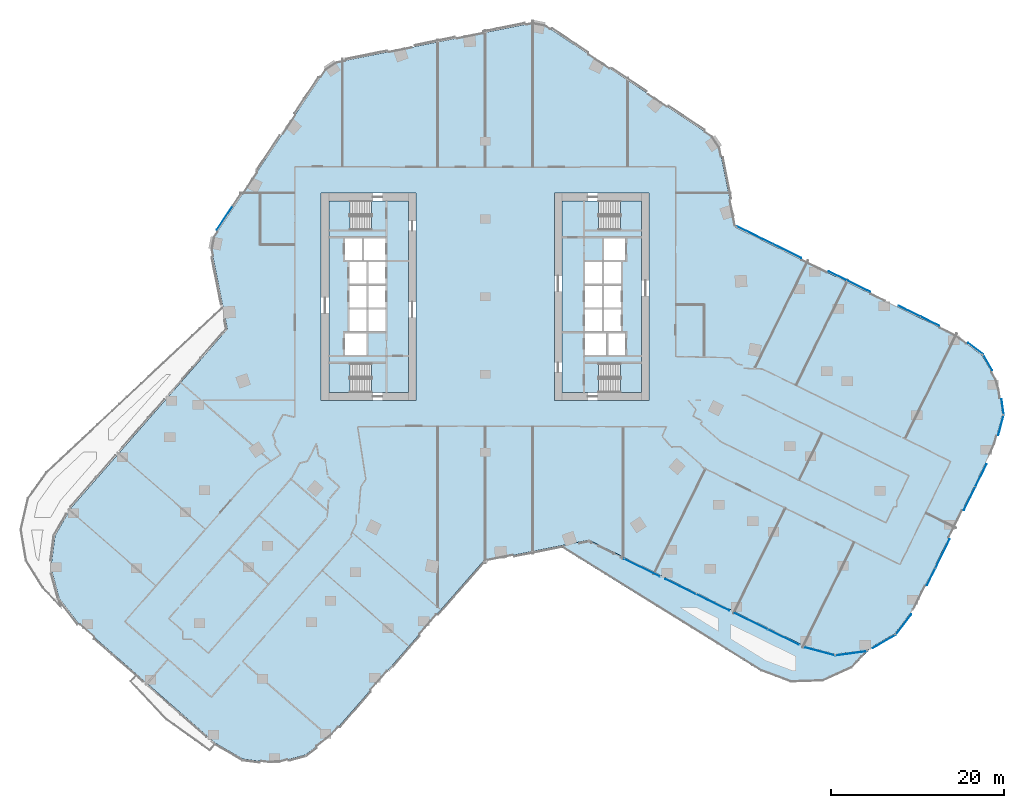
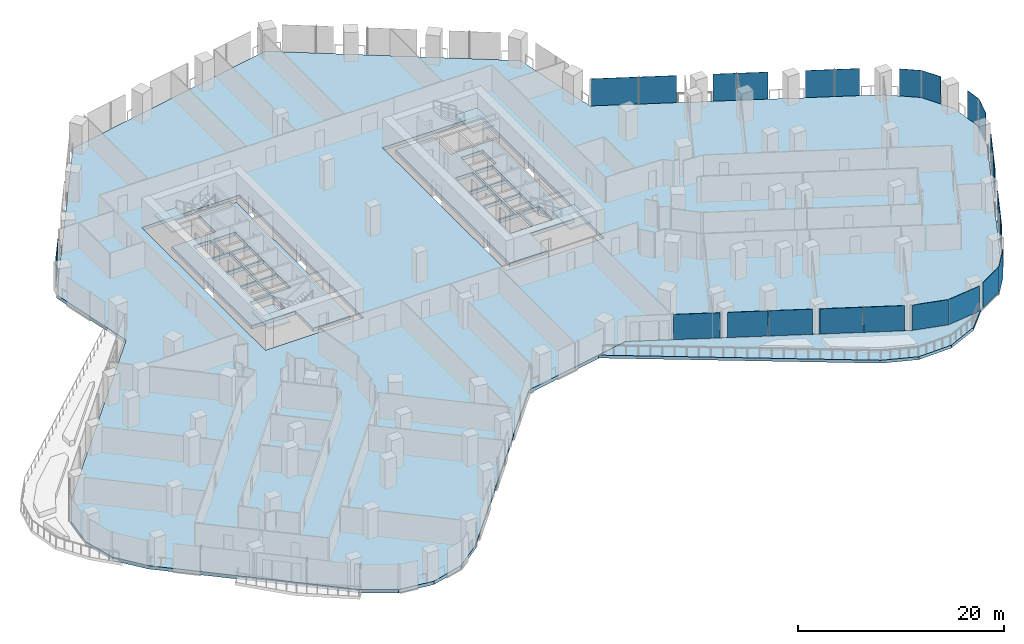
# One storey, part 19 of 32: 24 plates, 8 slabs, 16 elements without a shape of their own.
"""IFC4 building model written with IfcOpenShell, lengths in metres."""

from ifc_helpers import new_model, si_unit, direction, frame, origin, origin_2d, place, context, subcontext, project, spatial, polyline, rectangle, outline, extrude, material, layer, layer_set, type_object, element, aggregate, save


model = new_model("IFC4")

# Units and contexts
model_context = context("Model", 3, precision=1e-05, world=origin(), true_north=direction((0.0, 1.0)))
body_context = subcontext(model_context, "Body", "Model", "MODEL_VIEW")
ifc_project = project(units=[si_unit("LENGTHUNIT", "METRE"), si_unit("AREAUNIT", "SQUARE_METRE"), si_unit("VOLUMEUNIT", "CUBIC_METRE"), si_unit("PLANEANGLEUNIT", "RADIAN"), si_unit("MASSUNIT", "GRAM", prefix="KILO")], contexts=[model_context])

# Site, building, storey
site_placement = place(None, origin())
site = spatial("IfcSite", under=ifc_project, at=site_placement, CompositionType="ELEMENT")
building_placement = place(site_placement, origin())
building = spatial("IfcBuilding", under=site, at=building_placement, Name="Orlundy Tower", CompositionType="ELEMENT")
storey_placement = place(building_placement, frame((0.0, 0.0, 58.800048828125)))
storey = spatial("IfcBuildingStorey", under=building, at=storey_placement, Name="L13", CompositionType="ELEMENT", Elevation=58.800048828125)

# Curtain wall, plates
ifc_material_1 = material(Name="Aluminium bronze anodised", Category="aluminium")
curtain_wall_type = type_object("IfcCurtainWallType", Name="CW1 wall", PredefinedType="NOTDEFINED", material=ifc_material_1)
curtain_wall_1_placement = place(storey_placement, origin())
curtain_wall_1 = element("IfcCurtainWall", 1, at=curtain_wall_1_placement, inside=storey, type_object=curtain_wall_type, Name="CW1 run 00", PredefinedType="NOTDEFINED")
ifc_material_2 = material(Name="Tinted glass", Category="glass")
ifc_layer_1 = layer(ifc_material_2, 0.031982421875)
ifc_layer_set_1 = layer_set([ifc_layer_1], Name="CW1 glass panel 32")
plate_type = type_object("IfcPlateType", Name="CW1 glass panel 32", PredefinedType="CURTAIN_PANEL", material=ifc_layer_set_1)
plate_1_placement = place(storey_placement, frame((34.528076171875, -39.4306640625, 0.119873046875), z_axis=(0.0, 0.0, 1.0), x_axis=(-0.897522339484, 0.440968989984, 0.0)))
plate_1 = element("IfcPlate", 2, at=plate_1_placement, type_object=plate_type, Name="CW1 panel", PredefinedType="CURTAIN_PANEL", context=body_context, shape_type="SweptSolid", body=[
    extrude(rectangle(XDim=3.966552734375, YDim=0.031982421875, at=origin_2d()), origin(), (0.0, 0.0, 1.0), 2.97998046875),
])
plate_2_placement = place(storey_placement, frame((30.803955078125, -37.60107421875, 0.119873046875), z_axis=(0.0, 0.0, 1.0), x_axis=(-0.897522339484, 0.440968989984, 0.0)))
plate_2 = element("IfcPlate", 3, at=plate_2_placement, type_object=plate_type, Name="CW1 panel", PredefinedType="CURTAIN_PANEL", context=body_context, shape_type="SweptSolid", body=[
    extrude(rectangle(XDim=4.23193359375, YDim=0.031982421875, at=origin_2d()), origin(), (0.0, 0.0, 1.0), 2.97998046875),
])
plate_3_placement = place(storey_placement, frame((26.348388671875, -35.411865234375, 0.119873046875), z_axis=(0.0, 0.0, 1.0), x_axis=(-0.897522339484, 0.440968989984, 0.0)))
plate_3 = element("IfcPlate", 4, at=plate_3_placement, type_object=plate_type, Name="CW1 panel", PredefinedType="CURTAIN_PANEL", context=body_context, shape_type="SweptSolid", body=[
    extrude(rectangle(XDim=4.26220703125, YDim=0.031982421875, at=origin_2d()), origin(), (0.0, 0.0, 1.0), 2.97998046875),
])
plate_4_placement = place(storey_placement, frame((22.623779296875, -33.58203125, 0.119873046875), z_axis=(0.0, 0.0, 1.0), x_axis=(-0.897522339484, 0.440968989984, 0.0)))
plate_4 = element("IfcPlate", 5, at=plate_4_placement, type_object=plate_type, Name="CW1 panel", PredefinedType="CURTAIN_PANEL", context=body_context, shape_type="SweptSolid", body=[
    extrude(rectangle(XDim=3.937255859375, YDim=0.031982421875, at=origin_2d()), origin(), (0.0, 0.0, 1.0), 2.97998046875),
])
plate_5_placement = place(storey_placement, frame((18.168212890625, -31.392822265625, 0.119873046875), z_axis=(0.0, 0.0, 1.0), x_axis=(-0.897522339484, 0.440968989984, 0.0)))
plate_5 = element("IfcPlate", 6, at=plate_5_placement, type_object=plate_type, Name="CW1 panel", PredefinedType="CURTAIN_PANEL", context=body_context, shape_type="SweptSolid", body=[
    extrude(rectangle(XDim=4.556640625, YDim=0.031982421875, at=origin_2d()), origin(), (0.0, 0.0, 1.0), 2.97998046875),
])
aggregate(curtain_wall_1, [plate_1, plate_2, plate_3, plate_4, plate_5])

# Curtain wall, plate
curtain_wall_2_placement = place(storey_placement, origin())
curtain_wall_2 = element("IfcCurtainWall", 7, at=curtain_wall_2_placement, inside=storey, type_object=curtain_wall_type, Name="CW1 run 014", PredefinedType="NOTDEFINED")
plate_6_placement = place(storey_placement, frame((-30.16357421875, 9.127197265625, -0.280029296875), z_axis=(0.0, 0.0, 1.0), x_axis=(0.554356579774, 0.832279269513, 0.0)))
plate_6 = element("IfcPlate", 8, at=plate_6_placement, type_object=plate_type, Name="CW1 panel", PredefinedType="CURTAIN_PANEL", context=body_context, shape_type="SweptSolid", body=[
    extrude(rectangle(XDim=3.288818359375, YDim=0.031982421875, at=origin_2d()), origin(), (0.0, 0.0, 1.0), 3.3798828125),
])
aggregate(curtain_wall_2, [plate_6])

# Curtain wall, plates
curtain_wall_3_placement = place(storey_placement, origin())
curtain_wall_3 = element("IfcCurtainWall", 9, at=curtain_wall_3_placement, inside=storey, type_object=curtain_wall_type, Name="CW1 run 018", PredefinedType="NOTDEFINED")
plate_7_placement = place(storey_placement, frame((31.21630859375, 7.12841796875, -0.280029296875), z_axis=(0.0, 0.0, 1.0), x_axis=(0.897517823728, -0.440978180969, 0.0)))
plate_7 = element("IfcPlate", 10, at=plate_7_placement, type_object=plate_type, Name="CW1 panel", PredefinedType="CURTAIN_PANEL", context=body_context, shape_type="SweptSolid", body=[
    extrude(rectangle(XDim=4.6494140625, YDim=0.031982421875, at=origin_2d()), origin(), (0.0, 0.0, 1.0), 3.3798828125),
])
plate_8_placement = place(storey_placement, frame((34.967041015625, 5.28564453125, -0.280029296875), z_axis=(0.0, 0.0, 1.0), x_axis=(0.897517823728, -0.440978180969, 0.0)))
plate_8 = element("IfcPlate", 11, at=plate_8_placement, type_object=plate_type, Name="CW1 panel", PredefinedType="CURTAIN_PANEL", context=body_context, shape_type="SweptSolid", body=[
    extrude(rectangle(XDim=3.608642578125, YDim=0.031982421875, at=origin_2d()), origin(), (0.0, 0.0, 1.0), 3.3798828125),
])
plate_9_placement = place(storey_placement, frame((40.8212890625, 2.4091796875, -0.280029296875), z_axis=(0.0, 0.0, 1.0), x_axis=(0.897517823728, -0.440978180969, 0.0)))
plate_9 = element("IfcPlate", 12, at=plate_9_placement, type_object=plate_type, Name="CW1 panel", PredefinedType="CURTAIN_PANEL", context=body_context, shape_type="SweptSolid", body=[
    extrude(rectangle(XDim=2.267333984375, YDim=0.031982421875, at=origin_2d()), origin(), (0.0, 0.0, 1.0), 3.3798828125),
])
plate_10_placement = place(storey_placement, frame((43.234130859375, 1.2236328125, -0.280029296875), z_axis=(0.0, 0.0, 1.0), x_axis=(0.897517823728, -0.440978180969, 0.0)))
plate_10 = element("IfcPlate", 13, at=plate_10_placement, type_object=plate_type, Name="CW1 panel", PredefinedType="CURTAIN_PANEL", context=body_context, shape_type="SweptSolid", body=[
    extrude(rectangle(XDim=3.00927734375, YDim=0.031982421875, at=origin_2d()), origin(), (0.0, 0.0, 1.0), 3.3798828125),
])
plate_11_placement = place(storey_placement, frame((49.12548828125, -1.6708984375, -0.280029296875), z_axis=(0.0, 0.0, 1.0), x_axis=(0.897517823728, -0.440978180969, 0.0)))
plate_11 = element("IfcPlate", 14, at=plate_11_placement, type_object=plate_type, Name="CW1 panel", PredefinedType="CURTAIN_PANEL", context=body_context, shape_type="SweptSolid", body=[
    extrude(rectangle(XDim=2.783935546875, YDim=0.031982421875, at=origin_2d()), origin(), (0.0, 0.0, 1.0), 3.3798828125),
])
plate_12_placement = place(storey_placement, frame((51.50732421875, -2.84130859375, -0.280029296875), z_axis=(0.0, 0.0, 1.0), x_axis=(0.897517823728, -0.440978180969, 0.0)))
plate_12 = element("IfcPlate", 15, at=plate_12_placement, type_object=plate_type, Name="CW1 panel", PredefinedType="CURTAIN_PANEL", context=body_context, shape_type="SweptSolid", body=[
    extrude(rectangle(XDim=2.423583984375, YDim=0.031982421875, at=origin_2d()), origin(), (0.0, 0.0, 1.0), 3.3798828125),
])
aggregate(curtain_wall_3, [plate_7, plate_8, plate_9, plate_10, plate_11, plate_12])

# Curtain wall, plate
curtain_wall_4_placement = place(storey_placement, origin())
curtain_wall_4 = element("IfcCurtainWall", 16, at=curtain_wall_4_placement, inside=storey, type_object=curtain_wall_type, Name="CW1 run 019", PredefinedType="NOTDEFINED")
plate_13_placement = place(storey_placement, frame((56.802734375, -6.02392578125, -0.280029296875), z_axis=(0.0, 0.0, 1.0), x_axis=(0.794265929863, -0.607570269729, 0.0)))
plate_13 = element("IfcPlate", 17, at=plate_13_placement, type_object=plate_type, Name="CW1 panel", PredefinedType="CURTAIN_PANEL", context=body_context, shape_type="SweptSolid", body=[
    extrude(rectangle(XDim=2.164794921875, YDim=0.031982421875, at=origin_2d()), origin(), (0.0, 0.0, 1.0), 3.3798828125),
])
aggregate(curtain_wall_4, [plate_13])

curtain_wall_5_placement = place(storey_placement, origin())
curtain_wall_5 = element("IfcCurtainWall", 18, at=curtain_wall_5_placement, inside=storey, type_object=curtain_wall_type, Name="CW1 run 020", PredefinedType="NOTDEFINED")
plate_14_placement = place(storey_placement, frame((58.19189453125, -7.595703125, -0.280029296875), z_axis=(0.0, 0.0, 1.0), x_axis=(0.501185126223, -0.865340088782, 0.0)))
plate_14 = element("IfcPlate", 19, at=plate_14_placement, type_object=plate_type, Name="CW1 panel", PredefinedType="CURTAIN_PANEL", context=body_context, shape_type="SweptSolid", body=[
    extrude(rectangle(XDim=2.11279296875, YDim=0.031982421875, at=origin_2d()), origin(), (0.0, 0.0, 1.0), 3.3798828125),
])
aggregate(curtain_wall_5, [plate_14])

curtain_wall_6_placement = place(storey_placement, origin())
curtain_wall_6 = element("IfcCurtainWall", 20, at=curtain_wall_6_placement, inside=storey, type_object=curtain_wall_type, Name="CW1 run 021", PredefinedType="NOTDEFINED")
plate_15_placement = place(storey_placement, frame((59.930419921875, -12.780517578125, -0.280029296875), z_axis=(0.0, 0.0, 1.0), x_axis=(0.131933971093, -0.991258506784, 0.0)))
plate_15 = element("IfcPlate", 21, at=plate_15_placement, type_object=plate_type, Name="CW1 panel", PredefinedType="CURTAIN_PANEL", context=body_context, shape_type="SweptSolid", body=[
    extrude(rectangle(XDim=1.824462890625, YDim=0.031982421875, at=origin_2d()), origin(), (0.0, 0.0, 1.0), 3.3798828125),
])
aggregate(curtain_wall_6, [plate_15])

curtain_wall_7_placement = place(storey_placement, origin())
curtain_wall_7 = element("IfcCurtainWall", 22, at=curtain_wall_7_placement, inside=storey, type_object=curtain_wall_type, Name="CW1 run 022", PredefinedType="NOTDEFINED")
plate_16_placement = place(storey_placement, frame((59.739501953125, -14.853515625, -0.280029296875), z_axis=(0.0, 0.0, 1.0), x_axis=(-0.257360406209, -0.966315487466, 0.0)))
plate_16 = element("IfcPlate", 23, at=plate_16_placement, type_object=plate_type, Name="CW1 panel", PredefinedType="CURTAIN_PANEL", context=body_context, shape_type="SweptSolid", body=[
    extrude(rectangle(XDim=2.419189453125, YDim=0.031982421875, at=origin_2d()), origin(), (0.0, 0.0, 1.0), 3.3798828125),
])
aggregate(curtain_wall_7, [plate_16])

# Curtain wall, plates
curtain_wall_8_placement = place(storey_placement, origin())
curtain_wall_8 = element("IfcCurtainWall", 24, at=curtain_wall_8_placement, inside=storey, type_object=curtain_wall_type, Name="CW1 run 023", PredefinedType="NOTDEFINED")
plate_17_placement = place(storey_placement, frame((57.417236328125, -20.70654296875, -0.280029296875), z_axis=(0.0, 0.0, 1.0), x_axis=(-0.441012235503, -0.897501090883, 0.0)))
plate_17 = element("IfcPlate", 25, at=plate_17_placement, type_object=plate_type, Name="CW1 panel", PredefinedType="CURTAIN_PANEL", context=body_context, shape_type="SweptSolid", body=[
    extrude(rectangle(XDim=2.92138671875, YDim=0.031982421875, at=origin_2d()), origin(), (0.0, 0.0, 1.0), 3.3798828125),
])
plate_18_placement = place(storey_placement, frame((56.09619140625, -23.394775390625, -0.280029296875), z_axis=(0.0, 0.0, 1.0), x_axis=(-0.441012235503, -0.897501090883, 0.0)))
plate_18 = element("IfcPlate", 26, at=plate_18_placement, type_object=plate_type, Name="CW1 panel", PredefinedType="CURTAIN_PANEL", context=body_context, shape_type="SweptSolid", body=[
    extrude(rectangle(XDim=2.968994140625, YDim=0.031982421875, at=origin_2d()), origin(), (0.0, 0.0, 1.0), 3.3798828125),
])
plate_19_placement = place(storey_placement, frame((52.962646484375, -29.77197265625, -0.280029296875), z_axis=(0.0, 0.0, 1.0), x_axis=(-0.441012235503, -0.897501090883, 0.0)))
plate_19 = element("IfcPlate", 27, at=plate_19_placement, type_object=plate_type, Name="CW1 panel", PredefinedType="CURTAIN_PANEL", context=body_context, shape_type="SweptSolid", body=[
    extrude(rectangle(XDim=3.719482421875, YDim=0.031982421875, at=origin_2d()), origin(), (0.0, 0.0, 1.0), 3.3798828125),
])
plate_20_placement = place(storey_placement, frame((51.642822265625, -32.4580078125, -0.280029296875), z_axis=(0.0, 0.0, 1.0), x_axis=(-0.441012235503, -0.897501090883, 0.0)))
plate_20 = element("IfcPlate", 28, at=plate_20_placement, type_object=plate_type, Name="CW1 panel", PredefinedType="CURTAIN_PANEL", context=body_context, shape_type="SweptSolid", body=[
    extrude(rectangle(XDim=2.166015625, YDim=0.031982421875, at=origin_2d()), origin(), (0.0, 0.0, 1.0), 3.3798828125),
])
aggregate(curtain_wall_8, [plate_17, plate_18, plate_19, plate_20])

# Curtain wall, plate
curtain_wall_9_placement = place(storey_placement, origin())
curtain_wall_9 = element("IfcCurtainWall", 29, at=curtain_wall_9_placement, inside=storey, type_object=curtain_wall_type, Name="CW1 run 024", PredefinedType="NOTDEFINED")
plate_21_placement = place(storey_placement, frame((48.43017578125, -37.9921875, -0.280029296875), z_axis=(0.0, 0.0, 1.0), x_axis=(-0.607570269729, -0.794265929863, 0.0)))
plate_21 = element("IfcPlate", 30, at=plate_21_placement, type_object=plate_type, Name="CW1 panel", PredefinedType="CURTAIN_PANEL", context=body_context, shape_type="SweptSolid", body=[
    extrude(rectangle(XDim=2.971923828125, YDim=0.031982421875, at=origin_2d()), origin(), (0.0, 0.0, 1.0), 3.3798828125),
])
aggregate(curtain_wall_9, [plate_21])

curtain_wall_10_placement = place(storey_placement, origin())
curtain_wall_10 = element("IfcCurtainWall", 31, at=curtain_wall_10_placement, inside=storey, type_object=curtain_wall_type, Name="CW1 run 025", PredefinedType="NOTDEFINED")
plate_22_placement = place(storey_placement, frame((46.19677734375, -39.943603515625, 0.119873046875), z_axis=(0.0, 0.0, 1.0), x_axis=(-0.865272308879, -0.501302135928, 0.0)))
plate_22 = element("IfcPlate", 32, at=plate_22_placement, type_object=plate_type, Name="CW1 panel", PredefinedType="CURTAIN_PANEL", context=body_context, shape_type="SweptSolid", body=[
    extrude(rectangle(XDim=3.075927734375, YDim=0.031982421875, at=origin_2d()), origin(), (0.0, 0.0, 1.0), 2.97998046875),
])
aggregate(curtain_wall_10, [plate_22])

curtain_wall_11_placement = place(storey_placement, origin())
curtain_wall_11 = element("IfcCurtainWall", 33, at=curtain_wall_11_placement, inside=storey, type_object=curtain_wall_type, Name="CW1 run 026", PredefinedType="NOTDEFINED")
plate_23_placement = place(storey_placement, frame((42.39404296875, -41.3125, 0.119873046875), z_axis=(0.0, 0.0, 1.0), x_axis=(-0.991227900682, -0.132163720098, 0.0)))
plate_23 = element("IfcPlate", 34, at=plate_23_placement, type_object=plate_type, Name="CW1 panel", PredefinedType="CURTAIN_PANEL", context=body_context, shape_type="SweptSolid", body=[
    extrude(rectangle(XDim=3.772705078125, YDim=0.031982421875, at=origin_2d()), origin(), (0.0, 0.0, 1.0), 2.97998046875),
])
aggregate(curtain_wall_11, [plate_23])

curtain_wall_12_placement = place(storey_placement, origin())
curtain_wall_12 = element("IfcCurtainWall", 35, at=curtain_wall_12_placement, inside=storey, type_object=curtain_wall_type, Name="CW1 run 027", PredefinedType="NOTDEFINED")
plate_24_placement = place(storey_placement, frame((38.763916015625, -41.092529296875, 0.119873046875), z_axis=(0.0, 0.0, 1.0), x_axis=(-0.966230461093, 0.25767944438, 0.0)))
plate_24 = element("IfcPlate", 36, at=plate_24_placement, type_object=plate_type, Name="CW1 panel", PredefinedType="CURTAIN_PANEL", context=body_context, shape_type="SweptSolid", body=[
    extrude(rectangle(XDim=3.6435546875, YDim=0.031982421875, at=origin_2d()), origin(), (0.0, 0.0, 1.0), 2.97998046875),
])
aggregate(curtain_wall_12, [plate_24])

# Slabs
ifc_material_3 = material(Name="Concrete C50/60", Category="concrete")
ifc_layer_2 = layer(ifc_material_3, 0.409912109375)
ifc_layer_set_2 = layer_set([ifc_layer_2], Name="Core Floor Slab 410")
slab_type_1 = type_object("IfcSlabType", Name="Core Floor Slab 410", PredefinedType="FLOOR", material=ifc_layer_set_2)
slab_1_placement = place(storey_placement, frame((0.0, 0.0, -0.41015625)))
element("IfcSlab", 37, at=slab_1_placement, inside=storey, type_object=slab_type_1, Name="Core floor W12", PredefinedType="FLOOR", context=body_context, shape_type="SweptSolid", body=[
    extrude(outline(polyline([(-13.14501953125, 7.75), (-13.14501953125, 11.10009765625), (-8.89990234375, 11.10009765625), (-8.89990234375, -11.10009765625), (-13.14501953125, -11.10009765625), (-13.14501953125, -7.75), (-18.10009765625, -7.75), (-18.10009765625, 7.75), (-13.14501953125, 7.75)]), holes=[polyline([(-16.239990234375, -6.77490234375), (-13.739990234375, -6.77490234375), (-13.739990234375, -4.22509765625), (-16.239990234375, -4.22509765625), (-16.239990234375, -6.77490234375)]), polyline([(-13.5400390625, -1.47509765625), (-13.5400390625, -4.02490234375), (-11.5400390625, -4.02490234375), (-11.5400390625, -1.47509765625), (-13.5400390625, -1.47509765625)]), polyline([(-13.739990234375, -1.47509765625), (-15.739990234375, -1.47509765625), (-15.739990234375, -4.02490234375), (-13.739990234375, -4.02490234375), (-13.739990234375, -1.47509765625)]), polyline([(-11.5400390625, -1.27490234375), (-11.5400390625, 1.27490234375), (-13.5400390625, 1.27490234375), (-13.5400390625, -1.27490234375), (-11.5400390625, -1.27490234375)]), polyline([(-15.739990234375, -1.27490234375), (-13.739990234375, -1.27490234375), (-13.739990234375, 1.27490234375), (-15.739990234375, 1.27490234375), (-15.739990234375, -1.27490234375)]), polyline([(-13.5400390625, 4.02490234375), (-13.5400390625, 1.47509765625), (-11.5400390625, 1.47509765625), (-11.5400390625, 4.02490234375), (-13.5400390625, 4.02490234375)]), polyline([(-13.739990234375, 4.02490234375), (-15.739990234375, 4.02490234375), (-15.739990234375, 1.47509765625), (-13.739990234375, 1.47509765625), (-13.739990234375, 4.02490234375)]), polyline([(-11.5400390625, 4.22509765625), (-11.5400390625, 6.77490234375), (-14.0400390625, 6.77490234375), (-14.0400390625, 4.22509765625), (-11.5400390625, 4.22509765625)]), polyline([(-16.239990234375, 4.22509765625), (-14.239990234375, 4.22509765625), (-14.239990234375, 6.77490234375), (-16.239990234375, 6.77490234375), (-16.239990234375, 4.22509765625)])]), origin(), (0.0, 0.0, 1.0), 0.41015625),
])
slab_2_placement = place(storey_placement, frame((0.0, 0.0, -0.41015625)))
element("IfcSlab", 38, at=slab_2_placement, inside=storey, type_object=slab_type_1, Name="Core floor E12", PredefinedType="FLOOR", context=body_context, shape_type="SweptSolid", body=[
    extrude(outline(polyline([(13.14501953125, -7.75), (13.14501953125, -11.10009765625), (8.89990234375, -11.10009765625), (8.89990234375, 11.10009765625), (13.14501953125, 11.10009765625), (13.14501953125, 7.75), (18.10009765625, 7.75), (18.10009765625, -7.75), (13.14501953125, -7.75)]), holes=[polyline([(16.239990234375, 6.77490234375), (13.739990234375, 6.77490234375), (13.739990234375, 4.22509765625), (16.239990234375, 4.22509765625), (16.239990234375, 6.77490234375)]), polyline([(13.5400390625, 1.47509765625), (13.5400390625, 4.02490234375), (11.5400390625, 4.02490234375), (11.5400390625, 1.47509765625), (13.5400390625, 1.47509765625)]), polyline([(13.739990234375, 1.47509765625), (15.739990234375, 1.47509765625), (15.739990234375, 4.02490234375), (13.739990234375, 4.02490234375), (13.739990234375, 1.47509765625)]), polyline([(11.5400390625, 1.27490234375), (11.5400390625, -1.27490234375), (13.5400390625, -1.27490234375), (13.5400390625, 1.27490234375), (11.5400390625, 1.27490234375)]), polyline([(15.739990234375, 1.27490234375), (13.739990234375, 1.27490234375), (13.739990234375, -1.27490234375), (15.739990234375, -1.27490234375), (15.739990234375, 1.27490234375)]), polyline([(13.5400390625, -4.02490234375), (13.5400390625, -1.47509765625), (11.5400390625, -1.47509765625), (11.5400390625, -4.02490234375), (13.5400390625, -4.02490234375)]), polyline([(13.739990234375, -4.02490234375), (15.739990234375, -4.02490234375), (15.739990234375, -1.47509765625), (13.739990234375, -1.47509765625), (13.739990234375, -4.02490234375)]), polyline([(11.5400390625, -4.22509765625), (11.5400390625, -6.77490234375), (14.0400390625, -6.77490234375), (14.0400390625, -4.22509765625), (11.5400390625, -4.22509765625)]), polyline([(16.239990234375, -4.22509765625), (14.239990234375, -4.22509765625), (14.239990234375, -6.77490234375), (16.239990234375, -6.77490234375), (16.239990234375, -4.22509765625)])]), origin(), (0.0, 0.0, 1.0), 0.41015625),
])

# Stair, slab
ifc_material_4 = material(Name="Concrete C50/60", Category="concrete")
stair_type = type_object("IfcStairType", Name="Exit Stair 20 risers", PredefinedType="HALF_TURN_STAIR", material=ifc_material_4)
stair_1_placement = place(storey_placement, origin())
stair_1 = element("IfcStair", 39, at=stair_1_placement, inside=storey, type_object=stair_type, Name="L13 Exit Stair ST-W1", PredefinedType="HALF_TURN_STAIR")
ifc_material_5 = material(Name="Concrete C50/60", Category="concrete")
ifc_layer_3 = layer(ifc_material_5, 0.199951171875)
ifc_layer_set_3 = layer_set([ifc_layer_3], Name="Exit Stair Landing")
slab_type_2 = type_object("IfcSlabType", Name="Exit Stair Landing", PredefinedType="LANDING", material=ifc_layer_set_3)
slab_3_placement = place(storey_placement, frame((0.0, 0.0, 1.550048828125)))
slab_3 = element("IfcSlab", 40, at=slab_3_placement, type_object=slab_type_2, Name="ST-W1 landing 1", PredefinedType="LANDING", context=body_context, shape_type="SweptSolid", body=[
    extrude(outline(polyline([(-15.659912109375, 11.10009765625), (-18.10009765625, 11.10009765625), (-18.10009765625, 7.75), (-15.659912109375, 7.75), (-15.659912109375, 11.10009765625)])), origin(), (0.0, 0.0, 1.0), 0.199951171875),
])
aggregate(stair_1, [slab_3])

stair_2_placement = place(storey_placement, origin())
stair_2 = element("IfcStair", 41, at=stair_2_placement, inside=storey, type_object=stair_type, Name="L13 Exit Stair ST-W2", PredefinedType="HALF_TURN_STAIR")
slab_4_placement = place(storey_placement, frame((0.0, 0.0, 1.550048828125)))
slab_4 = element("IfcSlab", 42, at=slab_4_placement, type_object=slab_type_2, Name="ST-W2 landing 1", PredefinedType="LANDING", context=body_context, shape_type="SweptSolid", body=[
    extrude(outline(polyline([(-15.659912109375, -7.75), (-18.10009765625, -7.75), (-18.10009765625, -11.10009765625), (-15.659912109375, -11.10009765625), (-15.659912109375, -7.75)])), origin(), (0.0, 0.0, 1.0), 0.199951171875),
])
aggregate(stair_2, [slab_4])

stair_3_placement = place(storey_placement, origin())
stair_3 = element("IfcStair", 43, at=stair_3_placement, inside=storey, type_object=stair_type, Name="L13 Exit Stair ST-E1", PredefinedType="HALF_TURN_STAIR")
slab_5_placement = place(storey_placement, frame((0.0, 0.0, 1.550048828125)))
slab_5 = element("IfcSlab", 44, at=slab_5_placement, type_object=slab_type_2, Name="ST-E1 landing 1", PredefinedType="LANDING", context=body_context, shape_type="SweptSolid", body=[
    extrude(outline(polyline([(15.659912109375, -11.10009765625), (18.10009765625, -11.10009765625), (18.10009765625, -7.75), (15.659912109375, -7.75), (15.659912109375, -11.10009765625)])), origin(), (0.0, 0.0, 1.0), 0.199951171875),
])
aggregate(stair_3, [slab_5])

stair_4_placement = place(storey_placement, origin())
stair_4 = element("IfcStair", 45, at=stair_4_placement, inside=storey, type_object=stair_type, Name="L13 Exit Stair ST-E2", PredefinedType="HALF_TURN_STAIR")
slab_6_placement = place(storey_placement, frame((0.0, 0.0, 1.550048828125)))
slab_6 = element("IfcSlab", 46, at=slab_6_placement, type_object=slab_type_2, Name="ST-E2 landing 1", PredefinedType="LANDING", context=body_context, shape_type="SweptSolid", body=[
    extrude(outline(polyline([(15.659912109375, 7.75), (18.10009765625, 7.75), (18.10009765625, 11.10009765625), (15.659912109375, 11.10009765625), (15.659912109375, 7.75)])), origin(), (0.0, 0.0, 1.0), 0.199951171875),
])
aggregate(stair_4, [slab_6])

# Slabs
ifc_material_6 = material(Name="Concrete C45/55", Category="concrete")
ifc_layer_4 = layer(ifc_material_6, 0.39990234375)
ifc_layer_set_4 = layer_set([ifc_layer_4], Name="FLOOR SLAB THICK 400 C45/55")
slab_type_3 = type_object("IfcSlabType", Name="FLOOR SLAB THICK 400 C45/55", PredefinedType="FLOOR", material=ifc_layer_set_4)
slab_7_placement = place(storey_placement, frame((0.0, 0.0, -0.400146484375)))
element("IfcSlab", 47, at=slab_7_placement, inside=storey, type_object=slab_type_3, Name="Floor slab L13", PredefinedType="FLOOR", context=body_context, shape_type="SweptSolid", body=[
    extrude(outline(polyline([(12.01708984375, -28.18798828125), (-0.22607421875, -30.64208984375), (-17.85693359375, -50.804931640625), (-20.7939453125, -53.06591796875), (-24.373046875, -54.030029296875), (-28.049072265625, -53.552001953125), (-31.261962890625, -51.702880859375), (-47.070068359375, -37.8798828125), (-49.3310546875, -34.94189453125), (-50.2958984375, -31.363037109375), (-49.81689453125, -27.68798828125), (-47.968994140625, -24.47509765625), (-29.844970703125, -3.7490234375), (-31.85693359375, 6.2890625), (-18.080078125, 26.972900390625), (6.2890625, 31.85693359375), (26.972900390625, 18.080078125), (28.985107421875, 8.0419921875), (54.593017578125, -4.5400390625), (57.537109375, -6.7919921875), (59.39501953125, -10.0), (59.884033203125, -13.674072265625), (58.929931640625, -17.256103515625), (49.6689453125, -36.10302734375), (47.4169921875, -39.047119140625), (44.2099609375, -40.905029296875), (40.534912109375, -41.39501953125), (36.9541015625, -40.43994140625), (12.01708984375, -28.18798828125)]), holes=[polyline([(-8.0, -12.0), (-8.0, 12.0), (-19.0, 12.0), (-19.0, -12.0), (-8.0, -12.0)]), polyline([(19.0, -12.0), (19.0, 12.0), (8.0, 12.0), (8.0, -12.0), (19.0, -12.0)])]), origin(), (0.0, 0.0, 1.0), 0.400146484375),
])
ifc_material_7 = material(Name="Concrete C45/55", Category="concrete")
ifc_layer_5 = layer(ifc_material_7, 0.35009765625)
ifc_layer_set_5 = layer_set([ifc_layer_5], Name="TERRACE SLAB 350 C45/55")
slab_type_4 = type_object("IfcSlabType", Name="TERRACE SLAB 350 C45/55", PredefinedType="ROOF", material=ifc_layer_set_5)
slab_8_placement = place(storey_placement, frame((0.0, 0.0, -0.35009765625)))
element("IfcSlab", 48, at=slab_8_placement, inside=storey, type_object=slab_type_4, Name="Terrace slab L13-1", PredefinedType="ROOF", context=body_context, shape_type="SweptSolid", body=[
    extrude(outline(polyline([(8.589111328125, -28.8740234375), (12.01708984375, -28.18798828125), (36.952880859375, -40.43994140625), (40.534912109375, -41.39501953125), (44.48193359375, -40.867919921875), (42.47998046875, -43.010986328125), (39.10498046875, -44.54296875), (35.39990234375, -44.6669921875), (31.929931640625, -43.364013671875), (8.589111328125, -28.8740234375)])), origin(), (0.0, 0.0, 1.0), 0.35009765625),
])

save(model, "model.ifc")
